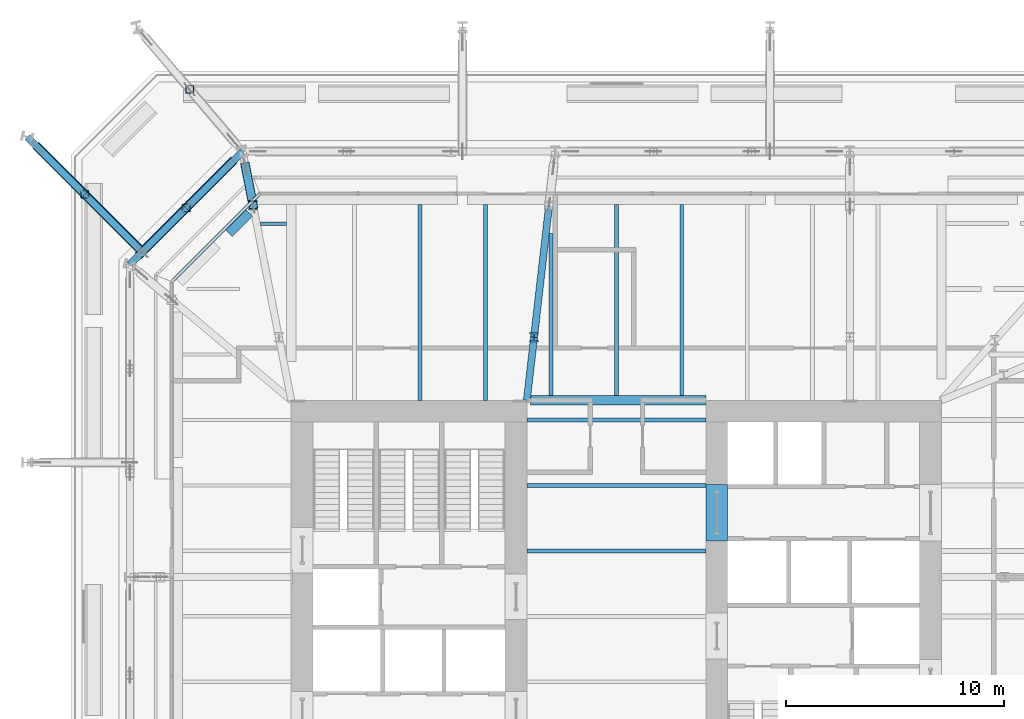
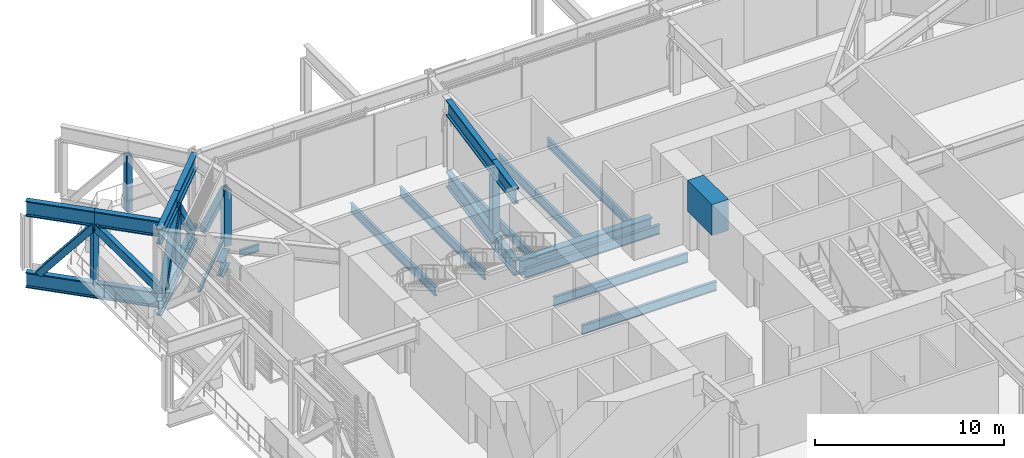
# One storey, part 12 of 29: 24 beams, 11 members, 1 element without a shape of its own.
"""IFC4 building model written with IfcOpenShell, lengths in metres."""

from ifc_helpers import new_model, si_unit, direction, frame, origin, origin_2d, place, context, subcontext, project, spatial, rectangle, hollow_rectangle, i_section, extrude, material, layer, layer_set, material_profile, profile_set, type_object, element, aggregate, save


model = new_model("IFC4")

# Units and contexts
model_context = context("Model", 3, precision=1e-05, world=origin(), true_north=direction((0.0, 1.0)))
body_context = subcontext(model_context, "Body", "Model", "MODEL_VIEW")
ifc_project = project(units=[si_unit("LENGTHUNIT", "METRE"), si_unit("AREAUNIT", "SQUARE_METRE"), si_unit("VOLUMEUNIT", "CUBIC_METRE"), si_unit("PLANEANGLEUNIT", "RADIAN"), si_unit("MASSUNIT", "GRAM", prefix="KILO")], contexts=[model_context])

# Site, building, storey
site_placement = place(None, origin())
site = spatial("IfcSite", under=ifc_project, at=site_placement, CompositionType="ELEMENT")
building_placement = place(site_placement, origin())
building = spatial("IfcBuilding", under=site, at=building_placement, Name="Millrace Tower", CompositionType="ELEMENT")
storey_placement = place(building_placement, frame((0.0, 0.0, 68.60009765625)))
storey = spatial("IfcBuildingStorey", under=building, at=storey_placement, Name="L15", CompositionType="ELEMENT", Elevation=68.60009765625)

# Curtain wall, member
ifc_material_1 = material(Name="Aluminium and glass", Category="aluminium")
ifc_layer = layer(ifc_material_1, 0.14990234375)
ifc_layer_set = layer_set([ifc_layer], Name="Aluminium and glass")
curtain_wall_type = type_object("IfcCurtainWallType", Name="CW-5 truss and plant storey louvred infill", PredefinedType="NOTDEFINED", material=ifc_layer_set)
curtain_wall_placement = place(storey_placement, origin())
curtain_wall = element("IfcCurtainWall", 1, at=curtain_wall_placement, inside=storey, type_object=curtain_wall_type, Name="Curtain wall B-F07 L15", PredefinedType="NOTDEFINED")
ifc_material_2 = material(Name="Aluminium", Category="aluminium")
ifc_material_profile_1 = material_profile(ifc_material_2, rectangle(XDim=0.14990234375, YDim=0.139892578125, at=origin_2d()))
ifc_profile_set_1 = profile_set([ifc_material_profile_1], Name="Aluminium")
member_type_1 = type_object("IfcMemberType", Name="CW-5 truss and plant storey louvred infill transom", PredefinedType="USERDEFINED", material=ifc_profile_set_1)
member_1_placement = place(storey_placement, frame((-16.423828125, 19.2822265625, 0.06982421875), z_axis=(-0.707106781187, -0.707106781187, 0.0), x_axis=(0.707106781187, -0.707106781187, 0.0)))
member_1 = element("IfcMember", 2, at=member_1_placement, type_object=member_type_1, Name="CW5 transom B-F07.1", ObjectType="TRANSOM", PredefinedType="USERDEFINED", context=body_context, shape_type="SweptSolid", body=[
    extrude(rectangle(XDim=0.14990234375, YDim=0.139892578125, at=origin_2d()), origin(), (0.0, 0.0, 1.0), 5.45654296875),
])
aggregate(curtain_wall, [member_1])

# Beams
ifc_material_3 = material(Name="Concrete C80", Category="concrete")
ifc_material_profile_2 = material_profile(ifc_material_3, rectangle(XDim=1.0, YDim=2.0, at=origin_2d()))
ifc_profile_set_2 = profile_set([ifc_material_profile_2], Name="Concrete C80")
beam_type_1 = type_object("IfcBeamType", Name="Coupling beam 1000 x 2000 Concrete C80, 2000 opening", PredefinedType="BEAM", material=ifc_profile_set_2)
beam_1_placement = place(storey_placement, frame((4.60009765625, 6.050048828125, 3.39990234375), z_axis=(0.0, -1.0, 0.0), x_axis=(1.0, 0.0, 0.0)))
element("IfcBeam", 3, at=beam_1_placement, inside=storey, type_object=beam_type_1, Name="Coupling beam E L15", PredefinedType="BEAM", context=body_context, shape_type="SweptSolid", body=[
    extrude(rectangle(XDim=1.0, YDim=2.0, at=origin_2d()), origin(), (0.0, 0.0, 1.0), 2.60009765625),
])
ifc_material_4 = material(Name="Steel ASTM A992 Grade 50", Category="steel")
ifc_material_profile_3 = material_profile(ifc_material_4, i_section(OverallWidth=0.15234375, OverallDepth=0.449462890625, WebThickness=0.007568359375, FlangeThickness=0.0107421875, FilletRadius=0.01025390625, at=origin_2d()))
ifc_profile_set_3 = profile_set([ifc_material_profile_3], Name="Steel ASTM A992 Grade 50")
beam_type_2 = type_object("IfcBeamType", Name="Floor beam W18x35", PredefinedType="JOIST", material=ifc_profile_set_3)
beam_2_placement = place(storey_placement, frame((-16.30126953125, 18.0, -0.4248046875), z_axis=(1.0, 0.0, 0.0), x_axis=(0.0, 1.0, 0.0)))
element("IfcBeam", 4, at=beam_2_placement, inside=storey, type_object=beam_type_2, Name="BM-B-L15-S1-S038", PredefinedType="JOIST", context=body_context, shape_type="SweptSolid", body=[
    extrude(i_section(OverallWidth=0.15234375, OverallDepth=0.449462890625, WebThickness=0.007568359375, FlangeThickness=0.0107421875, FilletRadius=0.01025390625, at=origin_2d()), origin(), (0.0, 0.0, 1.0), 1.1904296875),
])
ifc_material_5 = material(Name="Steel ASTM A992 Grade 50", Category="steel")
ifc_material_profile_4 = material_profile(ifc_material_5, i_section(OverallWidth=0.177978515625, OverallDepth=0.599365234375, WebThickness=0.010009765625, FlangeThickness=0.012939453125, FilletRadius=0.012939453125, at=origin_2d()))
ifc_profile_set_4 = profile_set([ifc_material_profile_4], Name="Steel ASTM A992 Grade 50")
beam_type_3 = type_object("IfcBeamType", Name="Floor beam W24x55", PredefinedType="JOIST", material=ifc_profile_set_4)
for number, where, z_axis, x_axis, name in (
    (5, (-4.10009765625, 3.0, -0.499755859375), (1.0, 0.0, 0.0), (0.0, 1.0, 0.0), "BM-B-L15-S1-S025"),
    (6, (-4.10009765625, 6.0, -0.499755859375), (1.0, 0.0, 0.0), (0.0, 1.0, 0.0), "BM-B-L15-S1-S028"),
    (7, (-4.10009765625, 9.0, -0.499755859375), (1.0, 0.0, 0.0), (0.0, 1.0, 0.0), "BM-B-L15-S1-S031"),
):
    element("IfcBeam", number, at=place(storey_placement, frame(where, z_axis=z_axis, x_axis=x_axis)), inside=storey, type_object=beam_type_3, Name=name, PredefinedType="JOIST", context=body_context, shape_type="SweptSolid", body=[
        extrude(i_section(OverallWidth=0.177978515625, OverallDepth=0.599365234375, WebThickness=0.010009765625, FlangeThickness=0.012939453125, FilletRadius=0.012939453125, at=origin_2d()), origin(), (0.0, 0.0, 1.0), 8.2001953125),
    ])
for number, where, z_axis, x_axis, name in (
    (8, (-9.0, 9.89990234375, -0.499755859375), (0.0, 1.0, 0.0), (-1.0, 0.0, 0.0), "BM-B-L15-S1-S042"),
    (9, (-6.0, 9.89990234375, -0.499755859375), (0.0, 1.0, 0.0), (-1.0, 0.0, 0.0), "BM-B-L15-S1-S044"),
):
    element("IfcBeam", number, at=place(storey_placement, frame(where, z_axis=z_axis, x_axis=x_axis)), inside=storey, type_object=beam_type_3, Name=name, PredefinedType="JOIST", context=body_context, shape_type="SweptSolid", body=[
        extrude(i_section(OverallWidth=0.177978515625, OverallDepth=0.599365234375, WebThickness=0.010009765625, FlangeThickness=0.012939453125, FilletRadius=0.012939453125, at=origin_2d()), origin(), (0.0, 0.0, 1.0), 8.98095703125),
    ])
for number, where, z_axis, x_axis, name in (
    (10, (0.0, 10.11083984375, -0.499755859375), (0.0, 1.0, 0.0), (-1.0, 0.0, 0.0), "BM-B-L15-S1-S048"),
    (11, (3.0, 10.11083984375, -0.499755859375), (0.0, 1.0, 0.0), (-1.0, 0.0, 0.0), "BM-B-L15-S1-S050"),
):
    element("IfcBeam", number, at=place(storey_placement, frame(where, z_axis=z_axis, x_axis=x_axis)), inside=storey, type_object=beam_type_3, Name=name, PredefinedType="JOIST", context=body_context, shape_type="SweptSolid", body=[
        extrude(i_section(OverallWidth=0.177978515625, OverallDepth=0.599365234375, WebThickness=0.010009765625, FlangeThickness=0.012939453125, FilletRadius=0.012939453125, at=origin_2d()), origin(), (0.0, 0.0, 1.0), 8.77001953125),
    ])
beam_3_placement = place(storey_placement, frame((-3.0, 10.11083984375, -0.499755859375), z_axis=(0.0, 1.0, 0.0), x_axis=(-1.0, 0.0, 0.0)))
element("IfcBeam", 12, at=beam_3_placement, inside=storey, type_object=beam_type_3, Name="BM-B-L15-S1-S046", PredefinedType="JOIST", context=body_context, shape_type="SweptSolid", body=[
    extrude(i_section(OverallWidth=0.177978515625, OverallDepth=0.599365234375, WebThickness=0.010009765625, FlangeThickness=0.012939453125, FilletRadius=0.012939453125, at=origin_2d()), origin(), (0.0, 0.0, 1.0), 7.423828125),
])
ifc_material_6 = material(Name="Steel ASTM A992 Grade 50", Category="steel")
ifc_material_profile_5 = material_profile(ifc_material_6, i_section(OverallWidth=0.421630859375, OverallDepth=0.937255859375, WebThickness=0.021240234375, FlangeThickness=0.03662109375, FilletRadius=0.024169921875, at=origin_2d()))
ifc_profile_set_5 = profile_set([ifc_material_profile_5], Name="Steel ASTM A992 Grade 50")
beam_type_4 = type_object("IfcBeamType", Name="Girder short span W36x262", PredefinedType="BEAM", material=ifc_profile_set_5)
beam_4_placement = place(storey_placement, frame((-3.93359375, 9.89990234375, -0.668701171875), z_axis=(1.0, 0.0, 0.0), x_axis=(0.0, 1.0, 0.0)))
element("IfcBeam", 13, at=beam_4_placement, inside=storey, type_object=beam_type_4, Name="BM-B-L15-S1-G062", PredefinedType="BEAM", context=body_context, shape_type="SweptSolid", body=[
    extrude(i_section(OverallWidth=0.421630859375, OverallDepth=0.937255859375, WebThickness=0.021240234375, FlangeThickness=0.03662109375, FilletRadius=0.024169921875, at=origin_2d()), origin(), (0.0, 0.0, 1.0), 8.03369140625),
])
ifc_material_7 = material(Name="Steel ASTM A992 Grade 50", Category="steel")
ifc_material_profile_6 = material_profile(ifc_material_7, i_section(OverallWidth=0.419189453125, OverallDepth=0.927001953125, WebThickness=0.019287109375, FlangeThickness=0.031982421875, FilletRadius=0.024169921875, at=origin_2d()))
ifc_profile_set_6 = profile_set([ifc_material_profile_6], Name="Steel ASTM A992 Grade 50")
beam_type_5 = type_object("IfcBeamType", Name="Ring beam short span W36x231", PredefinedType="SPANDREL", material=ifc_profile_set_6)
beam_5_placement = place(storey_placement, frame((-17.74365234375, 17.56005859375, -0.66357421875), z_axis=(0.707106781187, 0.707106781187, 0.0), x_axis=(-0.707106781187, 0.707106781187, 0.0)))
element("IfcBeam", 14, at=beam_5_placement, inside=storey, type_object=beam_type_5, Name="RNG-B-L15-S1-04-b", PredefinedType="SPANDREL", context=body_context, shape_type="SweptSolid", body=[
    extrude(i_section(OverallWidth=0.419189453125, OverallDepth=0.927001953125, WebThickness=0.019287109375, FlangeThickness=0.031982421875, FilletRadius=0.024169921875, at=origin_2d()), origin(), (0.0, 0.0, 1.0), 1.310302734375),
])

# Members
ifc_material_8 = material(Name="Steel ASTM A992 Grade 50", Category="steel")
ifc_material_profile_7 = material_profile(ifc_material_8, i_section(OverallWidth=0.411376953125, OverallDepth=0.434326171875, WebThickness=0.035888671875, FlangeThickness=0.057373046875, FilletRadius=0.01513671875, at=origin_2d()))
ifc_profile_set_7 = profile_set([ifc_material_profile_7], Name="Steel ASTM A992 Grade 50")
member_type_2 = type_object("IfcMemberType", Name="Transfer truss Vierendeel moment post W14x311", PredefinedType="POST", material=ifc_profile_set_7)
for number, where, z_axis, x_axis, name in (
    (15, (-3.770263671875, 12.791259765625, -0.2001953125), (0.0, 0.0, 1.0), (1.0, 0.0, 0.0), "TRS-L15-C12-V02"),
    (16, (-16.64892578125, 18.846435546875, -0.2001953125), (0.0, 0.0, 1.0), (1.0, 0.0, 0.0), "TRS-L15-C13-V01"),
):
    element("IfcMember", number, at=place(storey_placement, frame(where, z_axis=z_axis, x_axis=x_axis)), inside=storey, type_object=member_type_2, Name=name, PredefinedType="POST", context=body_context, shape_type="SweptSolid", body=[
        extrude(i_section(OverallWidth=0.411376953125, OverallDepth=0.434326171875, WebThickness=0.035888671875, FlangeThickness=0.057373046875, FilletRadius=0.01513671875, at=origin_2d()), origin(), (0.0, 0.0, 1.0), 3.60693359375),
    ])

# Beams
ifc_material_9 = material(Name="Steel ASTM A992 Grade 50", Category="steel")
ifc_material_profile_8 = material_profile(ifc_material_9, i_section(OverallWidth=0.322509765625, OverallDepth=0.9931640625, WebThickness=0.0361328125, FlangeThickness=0.06494140625, FilletRadius=0.01904296875, at=origin_2d()))
ifc_profile_set_8 = profile_set([ifc_material_profile_8], Name="Steel ASTM A992 Grade 50")
beam_type_6 = type_object("IfcBeamType", Name="Transfer truss chord W36x387", PredefinedType="BEAM", material=ifc_profile_set_8)
for number, where, z_axis, x_axis, name in (
    (17, (-17.12841796875, 21.300048828125, -0.69677734375), (-0.707073399538, -0.70714016126, 0.0), (0.70714016126, -0.707073399538, 0.0), "TRS-L15-R13-B01"),
    (18, (-17.12841796875, 21.300048828125, 3.9033203125), (-0.707073399538, -0.70714016126, 0.0), (0.70714016126, -0.707073399538, 0.0), "TRS-L15-R13-T01"),
    (19, (-19.714111328125, 18.714111328125, -0.69677734375), (-0.70714016126, -0.707073399538, 0.0), (0.707073399538, -0.70714016126, 0.0), "TRS-L15-R13-B02"),
    (20, (-19.714111328125, 18.714111328125, 3.9033203125), (-0.70714016126, -0.707073399538, 0.0), (0.707073399538, -0.70714016126, 0.0), "TRS-L15-R13-T02"),
):
    element("IfcBeam", number, at=place(storey_placement, frame(where, z_axis=z_axis, x_axis=x_axis)), inside=storey, type_object=beam_type_6, Name=name, PredefinedType="BEAM", context=body_context, shape_type="SweptSolid", body=[
        extrude(i_section(OverallWidth=0.322509765625, OverallDepth=0.9931640625, WebThickness=0.0361328125, FlangeThickness=0.06494140625, FilletRadius=0.01904296875, at=origin_2d()), origin(), (0.0, 0.0, 1.0), 3.656982421875),
    ])
for number, where, z_axis, x_axis, name in (
    (21, (-3.083251953125, 18.816162109375, -0.69677734375), (-0.113294510049, -0.99356144953, 0.0), (0.99356144953, -0.113294510049, 0.0), "TRS-L15-C12-B02"),
    (22, (-3.083251953125, 18.816162109375, 3.9033203125), (-0.113294510049, -0.99356144953, 0.0), (0.99356144953, -0.113294510049, 0.0), "TRS-L15-C12-T02"),
):
    element("IfcBeam", number, at=place(storey_placement, frame(where, z_axis=z_axis, x_axis=x_axis)), inside=storey, type_object=beam_type_6, Name=name, PredefinedType="BEAM", context=body_context, shape_type="SweptSolid", body=[
        extrude(i_section(OverallWidth=0.322509765625, OverallDepth=0.9931640625, WebThickness=0.0361328125, FlangeThickness=0.06494140625, FilletRadius=0.01904296875, at=origin_2d()), origin(), (0.0, 0.0, 1.0), 6.06396484375),
    ])
for number, where, z_axis, x_axis, name in (
    (23, (-3.770263671875, 12.791259765625, -0.69677734375), (-0.113340740931, -0.993556176794, 0.0), (0.993556176794, -0.113340740931, 0.0), "TRS-L15-C12-B03"),
    (24, (-3.770263671875, 12.791259765625, 3.9033203125), (-0.113340740931, -0.993556176794, 0.0), (0.993556176794, -0.113340740931, 0.0), "TRS-L15-C12-T03"),
):
    element("IfcBeam", number, at=place(storey_placement, frame(where, z_axis=z_axis, x_axis=x_axis)), inside=storey, type_object=beam_type_6, Name=name, PredefinedType="BEAM", context=body_context, shape_type="SweptSolid", body=[
        extrude(i_section(OverallWidth=0.322509765625, OverallDepth=0.9931640625, WebThickness=0.0361328125, FlangeThickness=0.06494140625, FilletRadius=0.01904296875, at=origin_2d()), origin(), (0.0, 0.0, 1.0), 2.91015625),
    ])
for number, where, z_axis, x_axis, name in (
    (25, (-27.0, 21.978515625, -0.69677734375), (0.70707405461, -0.707139506249, 0.0), (0.707139506249, 0.70707405461, 0.0), "TRS-L15-B-A-X14-B01"),
    (26, (-27.0, 21.978515625, 3.9033203125), (0.70707405461, -0.707139506249, 0.0), (0.707139506249, 0.70707405461, 0.0), "TRS-L15-B-A-X14-T01"),
):
    element("IfcBeam", number, at=place(storey_placement, frame(where, z_axis=z_axis, x_axis=x_axis)), inside=storey, type_object=beam_type_6, Name=name, PredefinedType="BEAM", context=body_context, shape_type="SweptSolid", body=[
        extrude(i_section(OverallWidth=0.322509765625, OverallDepth=0.9931640625, WebThickness=0.0361328125, FlangeThickness=0.06494140625, FilletRadius=0.01904296875, at=origin_2d()), origin(), (0.0, 0.0, 1.0), 3.72998046875),
    ])
for number, where, z_axis, x_axis, name in (
    (27, (-24.362548828125, 19.3408203125, -0.69677734375), (0.707106781187, -0.707106781187, 0.0), (0.707106781187, 0.707106781187, 0.0), "TRS-L15-B-A-X14-B02"),
    (28, (-24.362548828125, 19.3408203125, 3.9033203125), (0.707106781187, -0.707106781187, 0.0), (0.707106781187, 0.707106781187, 0.0), "TRS-L15-B-A-X14-T02"),
):
    element("IfcBeam", number, at=place(storey_placement, frame(where, z_axis=z_axis, x_axis=x_axis)), inside=storey, type_object=beam_type_6, Name=name, PredefinedType="BEAM", context=body_context, shape_type="SweptSolid", body=[
        extrude(i_section(OverallWidth=0.322509765625, OverallDepth=0.9931640625, WebThickness=0.0361328125, FlangeThickness=0.06494140625, FilletRadius=0.01904296875, at=origin_2d()), origin(), (0.0, 0.0, 1.0), 3.568603515625),
    ])

# Members
ifc_material_10 = material(Name="Steel ASTM A500 Grade C", Category="steel")
ifc_material_profile_9 = material_profile(ifc_material_10, hollow_rectangle(XDim=0.406494140625, YDim=0.406494140625, WallThickness=0.015869140625, InnerFilletRadius=0.008056640625, OuterFilletRadius=0.02392578125, at=origin_2d()))
ifc_profile_set_9 = profile_set([ifc_material_profile_9], Name="Steel ASTM A500 Grade C")
member_type_3 = type_object("IfcMemberType", Name="Transfer truss diagonal HSS16x16x5/8", PredefinedType="BRACE", material=ifc_profile_set_9)
for number, where, z_axis, x_axis, name in (
    (29, (-17.623291015625, 20.804931640625, -0.2001953125), (-0.448287717745, -0.448287717745, 0.773353893271), (0.707106781187, -0.707106781187, 0.0), "TRS-L15-R13-D01"),
    (30, (-21.804931640625, 16.623291015625, -0.2001953125), (0.448287717745, 0.448287717745, 0.773353893271), (-0.707106781187, 0.707106781187, 0.0), "TRS-L15-R13-D02"),
):
    element("IfcMember", number, at=place(storey_placement, frame(where, z_axis=z_axis, x_axis=x_axis)), inside=storey, type_object=member_type_3, Name=name, PredefinedType="BRACE", context=body_context, shape_type="SweptSolid", body=[
        extrude(hollow_rectangle(XDim=0.406494140625, YDim=0.406494140625, WallThickness=0.015869140625, InnerFilletRadius=0.008056640625, OuterFilletRadius=0.02392578125, at=origin_2d()), origin(), (0.0, 0.0, 1.0), 4.6640625),
    ])
member_2_placement = place(storey_placement, frame((-16.994140625, 20.613037109375, -0.2001953125), z_axis=(0.085637198962, -0.438239583939, 0.894769432437), x_axis=(0.981437078009, 0.191784415189, 0.0)))
element("IfcMember", 31, at=member_2_placement, inside=storey, type_object=member_type_3, Name="TRS-L15-C13-D01", PredefinedType="BRACE", context=body_context, shape_type="SweptSolid", body=[
    extrude(hollow_rectangle(XDim=0.406494140625, YDim=0.406494140625, WallThickness=0.015869140625, InnerFilletRadius=0.008056640625, OuterFilletRadius=0.02392578125, at=origin_2d()), origin(), (0.0, 0.0, 1.0), 4.03125),
])
member_3_placement = place(storey_placement, frame((-26.505126953125, 21.4833984375, -0.2001953125), z_axis=(0.454826503748, -0.454826503748, 0.765679895895), x_axis=(0.707106781187, 0.707106781187, 0.0)))
element("IfcMember", 32, at=member_3_placement, inside=storey, type_object=member_type_3, Name="TRS-L15-B-A-X14-D01", PredefinedType="BRACE", context=body_context, shape_type="SweptSolid", body=[
    extrude(hollow_rectangle(XDim=0.406494140625, YDim=0.406494140625, WallThickness=0.015869140625, InnerFilletRadius=0.008056640625, OuterFilletRadius=0.02392578125, at=origin_2d()), origin(), (0.0, 0.0, 1.0), 4.710693359375),
])
member_4_placement = place(storey_placement, frame((-21.72509765625, 16.703369140625, -0.2001953125), z_axis=(-0.508309951274, 0.508309951274, 0.695156088135), x_axis=(-0.707106781187, -0.707106781187, 0.0)))
element("IfcMember", 33, at=member_4_placement, inside=storey, type_object=member_type_3, Name="TRS-L15-B-A-X14-D02", PredefinedType="BRACE", context=body_context, shape_type="SweptSolid", body=[
    extrude(hollow_rectangle(XDim=0.406494140625, YDim=0.406494140625, WallThickness=0.015869140625, InnerFilletRadius=0.008056640625, OuterFilletRadius=0.02392578125, at=origin_2d()), origin(), (0.0, 0.0, 1.0), 5.188720703125),
])
ifc_material_11 = material(Name="Steel ASTM A500 Grade C", Category="steel")
ifc_material_profile_10 = material_profile(ifc_material_11, hollow_rectangle(XDim=0.355712890625, YDim=0.355712890625, WallThickness=0.015869140625, InnerFilletRadius=0.008056640625, OuterFilletRadius=0.02392578125, at=origin_2d()))
ifc_profile_set_10 = profile_set([ifc_material_profile_10], Name="Steel ASTM A500 Grade C")
member_type_4 = type_object("IfcMemberType", Name="Transfer truss post HSS14x14x5/8", PredefinedType="POST", material=ifc_profile_set_10)
for number, where, z_axis, x_axis, name in (
    (34, (-19.714111328125, 18.714111328125, -0.2001953125), (0.0, 0.0, 1.0), (1.0, 0.0, 0.0), "TRS-L15-R13-V01"),
    (35, (-19.553466796875, 24.14990234375, -0.2001953125), (0.0, 0.0, 1.0), (1.0, 0.0, 0.0), "TRS-L15-B-A-X13-V01"),
    (36, (-24.362548828125, 19.3408203125, -0.2001953125), (0.0, 0.0, 1.0), (1.0, 0.0, 0.0), "TRS-L15-B-A-X14-V01"),
):
    element("IfcMember", number, at=place(storey_placement, frame(where, z_axis=z_axis, x_axis=x_axis)), inside=storey, type_object=member_type_4, Name=name, PredefinedType="POST", context=body_context, shape_type="SweptSolid", body=[
        extrude(hollow_rectangle(XDim=0.355712890625, YDim=0.355712890625, WallThickness=0.015869140625, InnerFilletRadius=0.008056640625, OuterFilletRadius=0.02392578125, at=origin_2d()), origin(), (0.0, 0.0, 1.0), 3.60693359375),
    ])

save(model, "model.ifc")
